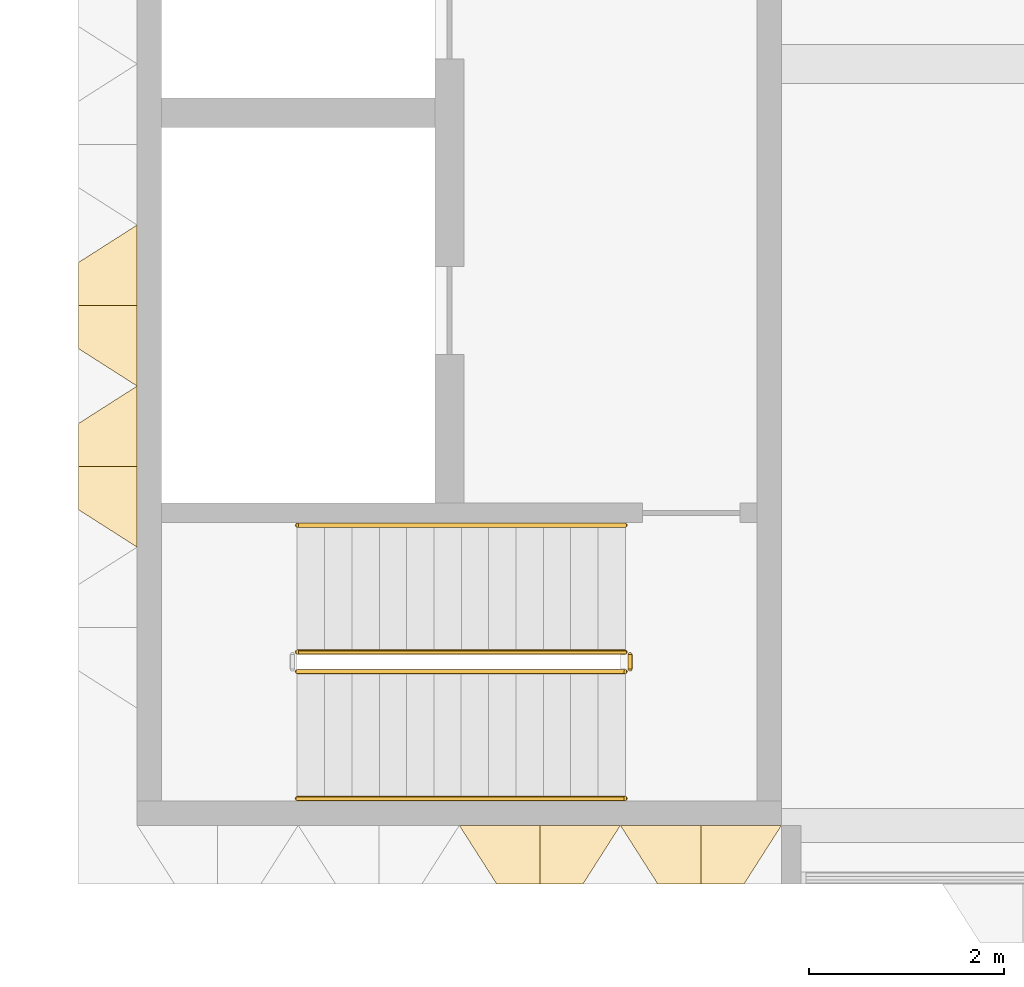
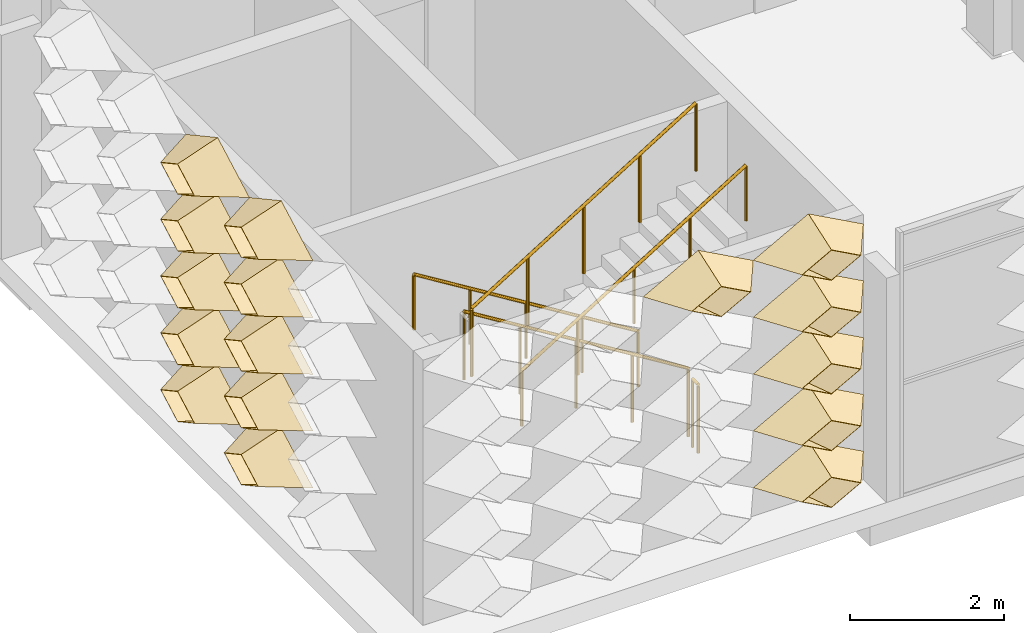
# One storey, part 13 of 29: 16 coverings, 5 railings.
"""IFC4 building model written with IfcOpenShell, lengths in metres."""

from ifc_helpers import new_model, entity, si_unit, direction, frame, origin, origin_2d, place, context, subcontext, project, spatial, circle, extrude, material, layer, layer_set, type_object, element, save


model = new_model("IFC4")

# Units and contexts
model_context = context("Model", 3, precision=1e-05, world=origin(), true_north=direction((0.0, 1.0)))
body_context = subcontext(model_context, "Body", "Model", "MODEL_VIEW")
ifc_project = project(units=[si_unit("LENGTHUNIT", "METRE"), si_unit("AREAUNIT", "SQUARE_METRE"), si_unit("VOLUMEUNIT", "CUBIC_METRE"), si_unit("PLANEANGLEUNIT", "RADIAN"), si_unit("MASSUNIT", "GRAM", prefix="KILO")], contexts=[model_context])

# Site, building, storey
site_placement = place(None, origin())
site = spatial("IfcSite", under=ifc_project, at=site_placement, CompositionType="ELEMENT")
building_placement = place(site_placement, origin())
building = spatial("IfcBuilding", under=site, at=building_placement, Name="Lantern Court Research Institute", CompositionType="ELEMENT")
storey_placement = place(building_placement, frame((0.0, 0.0, 32.39990234375)))
storey = spatial("IfcBuildingStorey", under=building, at=storey_placement, Name="L07", CompositionType="ELEMENT", Elevation=32.39990234375)

# Coverings
ifc_material_1 = material(Name="Anodised aluminium", Category="aluminium")
ifc_layer = layer(ifc_material_1, 0.01611328125)
ifc_layer_set = layer_set([ifc_layer], Name="Anodised aluminium")
covering_type = type_object("IfcCoveringType", Name="Fin cassette 1650 x 900 x 600 aluminium", PredefinedType="CLADDING", material=ifc_layer_set)
covering_1_placement = place(storey_placement, frame((58.574951171875, -7.800048828125, 0.4501953125), z_axis=(0.0, -1.0, 0.0), x_axis=(1.0, 0.0, 0.0)))
cartesian_point_1 = entity("IfcCartesianPoint", [0.824951171875, 0.0])
cartesian_point_2 = entity("IfcCartesianPoint", [0.79150390625, 0.0])
cartesian_point_3 = entity("IfcCartesianPoint", [0.44189453125, 0.0])
cartesian_point_4 = entity("IfcCartesianPoint", [0.43359375, 0.0])
element("IfcCovering", 1, at=covering_1_placement, inside=storey, type_object=covering_type, Name="Fin cassette V5S-L07 1.36", PredefinedType="CLADDING", context=body_context, shape_type="SweptSolid", body=[
    entity("IfcExtrudedAreaSolidTapered", entity("IfcArbitraryProfileDefWithVoids", "AREA", None, entity("IfcPolyline", [cartesian_point_1, entity("IfcCartesianPoint", [0.0, 0.449951171875]), entity("IfcCartesianPoint", [-0.824951171875, 0.0]), entity("IfcCartesianPoint", [0.0, -0.449951171875]), cartesian_point_1]), [entity("IfcPolyline", [cartesian_point_2, entity("IfcCartesianPoint", [0.0, 0.431884765625]), entity("IfcCartesianPoint", [-0.79150390625, 0.0]), entity("IfcCartesianPoint", [0.0, -0.431884765625]), cartesian_point_2])]), entity("IfcAxis2Placement3D", entity("IfcCartesianPoint", [0.0, 0.0, 0.0])), entity("IfcDirection", [0.0, 0.0, 1.0]), 0.60009765625, entity("IfcArbitraryProfileDefWithVoids", "AREA", None, entity("IfcPolyline", [cartesian_point_3, entity("IfcCartesianPoint", [0.0, 0.240966796875]), entity("IfcCartesianPoint", [-0.44189453125, 0.0]), entity("IfcCartesianPoint", [0.0, -0.240966796875]), cartesian_point_3]), [entity("IfcPolyline", [cartesian_point_4, entity("IfcCartesianPoint", [0.0, 0.236572265625]), entity("IfcCartesianPoint", [-0.43359375, 0.0]), entity("IfcCartesianPoint", [0.0, -0.236572265625]), cartesian_point_4])])),
])
covering_2_placement = place(storey_placement, frame((58.574951171875, -7.800048828125, 1.35009765625), z_axis=(0.0, -1.0, 0.0), x_axis=(1.0, 0.0, 0.0)))
cartesian_point_5 = entity("IfcCartesianPoint", [0.824951171875, 0.0])
cartesian_point_6 = entity("IfcCartesianPoint", [0.79150390625, 0.0])
cartesian_point_7 = entity("IfcCartesianPoint", [0.44189453125, 0.0])
cartesian_point_8 = entity("IfcCartesianPoint", [0.43359375, 0.0])
element("IfcCovering", 2, at=covering_2_placement, inside=storey, type_object=covering_type, Name="Fin cassette V5S-L07 2.36", PredefinedType="CLADDING", context=body_context, shape_type="SweptSolid", body=[
    entity("IfcExtrudedAreaSolidTapered", entity("IfcArbitraryProfileDefWithVoids", "AREA", None, entity("IfcPolyline", [cartesian_point_5, entity("IfcCartesianPoint", [0.0, 0.449951171875]), entity("IfcCartesianPoint", [-0.824951171875, 0.0]), entity("IfcCartesianPoint", [0.0, -0.449951171875]), cartesian_point_5]), [entity("IfcPolyline", [cartesian_point_6, entity("IfcCartesianPoint", [0.0, 0.431884765625]), entity("IfcCartesianPoint", [-0.79150390625, 0.0]), entity("IfcCartesianPoint", [0.0, -0.431884765625]), cartesian_point_6])]), entity("IfcAxis2Placement3D", entity("IfcCartesianPoint", [0.0, 0.0, 0.0])), entity("IfcDirection", [0.0, 0.0, 1.0]), 0.60009765625, entity("IfcArbitraryProfileDefWithVoids", "AREA", None, entity("IfcPolyline", [cartesian_point_7, entity("IfcCartesianPoint", [0.0, 0.240966796875]), entity("IfcCartesianPoint", [-0.44189453125, 0.0]), entity("IfcCartesianPoint", [0.0, -0.240966796875]), cartesian_point_7]), [entity("IfcPolyline", [cartesian_point_8, entity("IfcCartesianPoint", [0.0, 0.236572265625]), entity("IfcCartesianPoint", [-0.43359375, 0.0]), entity("IfcCartesianPoint", [0.0, -0.236572265625]), cartesian_point_8])])),
])
covering_3_placement = place(storey_placement, frame((58.574951171875, -7.800048828125, 2.25), z_axis=(0.0, -1.0, 0.0), x_axis=(1.0, 0.0, 0.0)))
cartesian_point_9 = entity("IfcCartesianPoint", [0.824951171875, 0.0])
cartesian_point_10 = entity("IfcCartesianPoint", [0.79150390625, 0.0])
cartesian_point_11 = entity("IfcCartesianPoint", [0.44189453125, 0.0])
cartesian_point_12 = entity("IfcCartesianPoint", [0.43359375, 0.0])
element("IfcCovering", 3, at=covering_3_placement, inside=storey, type_object=covering_type, Name="Fin cassette V5S-L07 3.36", PredefinedType="CLADDING", context=body_context, shape_type="SweptSolid", body=[
    entity("IfcExtrudedAreaSolidTapered", entity("IfcArbitraryProfileDefWithVoids", "AREA", None, entity("IfcPolyline", [cartesian_point_9, entity("IfcCartesianPoint", [0.0, 0.449951171875]), entity("IfcCartesianPoint", [-0.824951171875, 0.0]), entity("IfcCartesianPoint", [0.0, -0.449951171875]), cartesian_point_9]), [entity("IfcPolyline", [cartesian_point_10, entity("IfcCartesianPoint", [0.0, 0.431884765625]), entity("IfcCartesianPoint", [-0.79150390625, 0.0]), entity("IfcCartesianPoint", [0.0, -0.431884765625]), cartesian_point_10])]), entity("IfcAxis2Placement3D", entity("IfcCartesianPoint", [0.0, 0.0, 0.0])), entity("IfcDirection", [0.0, 0.0, 1.0]), 0.60009765625, entity("IfcArbitraryProfileDefWithVoids", "AREA", None, entity("IfcPolyline", [cartesian_point_11, entity("IfcCartesianPoint", [0.0, 0.240966796875]), entity("IfcCartesianPoint", [-0.44189453125, 0.0]), entity("IfcCartesianPoint", [0.0, -0.240966796875]), cartesian_point_11]), [entity("IfcPolyline", [cartesian_point_12, entity("IfcCartesianPoint", [0.0, 0.236572265625]), entity("IfcCartesianPoint", [-0.43359375, 0.0]), entity("IfcCartesianPoint", [0.0, -0.236572265625]), cartesian_point_12])])),
])
covering_4_placement = place(storey_placement, frame((58.574951171875, -7.800048828125, 3.150146484375), z_axis=(0.0, -1.0, 0.0), x_axis=(1.0, 0.0, 0.0)))
cartesian_point_13 = entity("IfcCartesianPoint", [0.824951171875, 0.0])
cartesian_point_14 = entity("IfcCartesianPoint", [0.79150390625, 0.0])
cartesian_point_15 = entity("IfcCartesianPoint", [0.44189453125, 0.0])
cartesian_point_16 = entity("IfcCartesianPoint", [0.43359375, 0.0])
element("IfcCovering", 4, at=covering_4_placement, inside=storey, type_object=covering_type, Name="Fin cassette V5S-L07 4.36", PredefinedType="CLADDING", context=body_context, shape_type="SweptSolid", body=[
    entity("IfcExtrudedAreaSolidTapered", entity("IfcArbitraryProfileDefWithVoids", "AREA", None, entity("IfcPolyline", [cartesian_point_13, entity("IfcCartesianPoint", [0.0, 0.449951171875]), entity("IfcCartesianPoint", [-0.824951171875, 0.0]), entity("IfcCartesianPoint", [0.0, -0.449951171875]), cartesian_point_13]), [entity("IfcPolyline", [cartesian_point_14, entity("IfcCartesianPoint", [0.0, 0.431884765625]), entity("IfcCartesianPoint", [-0.79150390625, 0.0]), entity("IfcCartesianPoint", [0.0, -0.431884765625]), cartesian_point_14])]), entity("IfcAxis2Placement3D", entity("IfcCartesianPoint", [0.0, 0.0, 0.0])), entity("IfcDirection", [0.0, 0.0, 1.0]), 0.60009765625, entity("IfcArbitraryProfileDefWithVoids", "AREA", None, entity("IfcPolyline", [cartesian_point_15, entity("IfcCartesianPoint", [0.0, 0.240966796875]), entity("IfcCartesianPoint", [-0.44189453125, 0.0]), entity("IfcCartesianPoint", [0.0, -0.240966796875]), cartesian_point_15]), [entity("IfcPolyline", [cartesian_point_16, entity("IfcCartesianPoint", [0.0, 0.236572265625]), entity("IfcCartesianPoint", [-0.43359375, 0.0]), entity("IfcCartesianPoint", [0.0, -0.236572265625]), cartesian_point_16])])),
])
covering_5_placement = place(storey_placement, frame((56.925048828125, -7.800048828125, 4.050048828125), z_axis=(0.0, -1.0, 0.0), x_axis=(1.0, 0.0, 0.0)))
cartesian_point_17 = entity("IfcCartesianPoint", [0.824951171875, 0.0])
cartesian_point_18 = entity("IfcCartesianPoint", [0.79150390625, 0.0])
cartesian_point_19 = entity("IfcCartesianPoint", [0.44189453125, 0.0])
cartesian_point_20 = entity("IfcCartesianPoint", [0.43359375, 0.0])
element("IfcCovering", 5, at=covering_5_placement, inside=storey, type_object=covering_type, Name="Fin cassette V5S-L07 5.35", PredefinedType="CLADDING", context=body_context, shape_type="SweptSolid", body=[
    entity("IfcExtrudedAreaSolidTapered", entity("IfcArbitraryProfileDefWithVoids", "AREA", None, entity("IfcPolyline", [cartesian_point_17, entity("IfcCartesianPoint", [0.0, 0.449951171875]), entity("IfcCartesianPoint", [-0.824951171875, 0.0]), entity("IfcCartesianPoint", [0.0, -0.449951171875]), cartesian_point_17]), [entity("IfcPolyline", [cartesian_point_18, entity("IfcCartesianPoint", [0.0, 0.431884765625]), entity("IfcCartesianPoint", [-0.79150390625, 0.0]), entity("IfcCartesianPoint", [0.0, -0.431884765625]), cartesian_point_18])]), entity("IfcAxis2Placement3D", entity("IfcCartesianPoint", [0.0, 0.0, 0.0])), entity("IfcDirection", [0.0, 0.0, 1.0]), 0.60009765625, entity("IfcArbitraryProfileDefWithVoids", "AREA", None, entity("IfcPolyline", [cartesian_point_19, entity("IfcCartesianPoint", [0.0, 0.240966796875]), entity("IfcCartesianPoint", [-0.44189453125, 0.0]), entity("IfcCartesianPoint", [0.0, -0.240966796875]), cartesian_point_19]), [entity("IfcPolyline", [cartesian_point_20, entity("IfcCartesianPoint", [0.0, 0.236572265625]), entity("IfcCartesianPoint", [-0.43359375, 0.0]), entity("IfcCartesianPoint", [0.0, -0.236572265625]), cartesian_point_20])])),
])
covering_6_placement = place(storey_placement, frame((58.574951171875, -7.800048828125, 4.050048828125), z_axis=(0.0, -1.0, 0.0), x_axis=(1.0, 0.0, 0.0)))
cartesian_point_21 = entity("IfcCartesianPoint", [0.824951171875, 0.0])
cartesian_point_22 = entity("IfcCartesianPoint", [0.79150390625, 0.0])
cartesian_point_23 = entity("IfcCartesianPoint", [0.44189453125, 0.0])
cartesian_point_24 = entity("IfcCartesianPoint", [0.43359375, 0.0])
element("IfcCovering", 6, at=covering_6_placement, inside=storey, type_object=covering_type, Name="Fin cassette V5S-L07 5.36", PredefinedType="CLADDING", context=body_context, shape_type="SweptSolid", body=[
    entity("IfcExtrudedAreaSolidTapered", entity("IfcArbitraryProfileDefWithVoids", "AREA", None, entity("IfcPolyline", [cartesian_point_21, entity("IfcCartesianPoint", [0.0, 0.449951171875]), entity("IfcCartesianPoint", [-0.824951171875, 0.0]), entity("IfcCartesianPoint", [0.0, -0.449951171875]), cartesian_point_21]), [entity("IfcPolyline", [cartesian_point_22, entity("IfcCartesianPoint", [0.0, 0.431884765625]), entity("IfcCartesianPoint", [-0.79150390625, 0.0]), entity("IfcCartesianPoint", [0.0, -0.431884765625]), cartesian_point_22])]), entity("IfcAxis2Placement3D", entity("IfcCartesianPoint", [0.0, 0.0, 0.0])), entity("IfcDirection", [0.0, 0.0, 1.0]), 0.60009765625, entity("IfcArbitraryProfileDefWithVoids", "AREA", None, entity("IfcPolyline", [cartesian_point_23, entity("IfcCartesianPoint", [0.0, 0.240966796875]), entity("IfcCartesianPoint", [-0.44189453125, 0.0]), entity("IfcCartesianPoint", [0.0, -0.240966796875]), cartesian_point_23]), [entity("IfcPolyline", [cartesian_point_24, entity("IfcCartesianPoint", [0.0, 0.236572265625]), entity("IfcCartesianPoint", [-0.43359375, 0.0]), entity("IfcCartesianPoint", [0.0, -0.236572265625]), cartesian_point_24])])),
])
covering_7_placement = place(storey_placement, frame((52.800048828125, -4.125, 0.4501953125), z_axis=(-1.0, 0.0, 0.0), x_axis=(0.0, -1.0, 0.0)))
cartesian_point_25 = entity("IfcCartesianPoint", [0.824951171875, 0.0])
cartesian_point_26 = entity("IfcCartesianPoint", [0.79150390625, 0.0])
cartesian_point_27 = entity("IfcCartesianPoint", [0.44189453125, 0.0])
cartesian_point_28 = entity("IfcCartesianPoint", [0.43359375, 0.0])
element("IfcCovering", 7, at=covering_7_placement, inside=storey, type_object=covering_type, Name="Fin cassette V5W-L07 1.-2", PredefinedType="CLADDING", context=body_context, shape_type="SweptSolid", body=[
    entity("IfcExtrudedAreaSolidTapered", entity("IfcArbitraryProfileDefWithVoids", "AREA", None, entity("IfcPolyline", [cartesian_point_25, entity("IfcCartesianPoint", [0.0, 0.449951171875]), entity("IfcCartesianPoint", [-0.824951171875, 0.0]), entity("IfcCartesianPoint", [0.0, -0.449951171875]), cartesian_point_25]), [entity("IfcPolyline", [cartesian_point_26, entity("IfcCartesianPoint", [0.0, 0.431884765625]), entity("IfcCartesianPoint", [-0.79150390625, 0.0]), entity("IfcCartesianPoint", [0.0, -0.431884765625]), cartesian_point_26])]), entity("IfcAxis2Placement3D", entity("IfcCartesianPoint", [0.0, 0.0, 0.0])), entity("IfcDirection", [0.0, 0.0, 1.0]), 0.60009765625, entity("IfcArbitraryProfileDefWithVoids", "AREA", None, entity("IfcPolyline", [cartesian_point_27, entity("IfcCartesianPoint", [0.0, 0.240966796875]), entity("IfcCartesianPoint", [-0.44189453125, 0.0]), entity("IfcCartesianPoint", [0.0, -0.240966796875]), cartesian_point_27]), [entity("IfcPolyline", [cartesian_point_28, entity("IfcCartesianPoint", [0.0, 0.236572265625]), entity("IfcCartesianPoint", [-0.43359375, 0.0]), entity("IfcCartesianPoint", [0.0, -0.236572265625]), cartesian_point_28])])),
])
covering_8_placement = place(storey_placement, frame((52.800048828125, -2.47509765625, 0.4501953125), z_axis=(-1.0, 0.0, 0.0), x_axis=(0.0, -1.0, 0.0)))
cartesian_point_29 = entity("IfcCartesianPoint", [0.824951171875, 0.0])
cartesian_point_30 = entity("IfcCartesianPoint", [0.79150390625, 0.0])
cartesian_point_31 = entity("IfcCartesianPoint", [0.44189453125, 0.0])
cartesian_point_32 = entity("IfcCartesianPoint", [0.43359375, 0.0])
element("IfcCovering", 8, at=covering_8_placement, inside=storey, type_object=covering_type, Name="Fin cassette V5W-L07 1.-1", PredefinedType="CLADDING", context=body_context, shape_type="SweptSolid", body=[
    entity("IfcExtrudedAreaSolidTapered", entity("IfcArbitraryProfileDefWithVoids", "AREA", None, entity("IfcPolyline", [cartesian_point_29, entity("IfcCartesianPoint", [0.0, 0.449951171875]), entity("IfcCartesianPoint", [-0.824951171875, 0.0]), entity("IfcCartesianPoint", [0.0, -0.449951171875]), cartesian_point_29]), [entity("IfcPolyline", [cartesian_point_30, entity("IfcCartesianPoint", [0.0, 0.431884765625]), entity("IfcCartesianPoint", [-0.79150390625, 0.0]), entity("IfcCartesianPoint", [0.0, -0.431884765625]), cartesian_point_30])]), entity("IfcAxis2Placement3D", entity("IfcCartesianPoint", [0.0, 0.0, 0.0])), entity("IfcDirection", [0.0, 0.0, 1.0]), 0.60009765625, entity("IfcArbitraryProfileDefWithVoids", "AREA", None, entity("IfcPolyline", [cartesian_point_31, entity("IfcCartesianPoint", [0.0, 0.240966796875]), entity("IfcCartesianPoint", [-0.44189453125, 0.0]), entity("IfcCartesianPoint", [0.0, -0.240966796875]), cartesian_point_31]), [entity("IfcPolyline", [cartesian_point_32, entity("IfcCartesianPoint", [0.0, 0.236572265625]), entity("IfcCartesianPoint", [-0.43359375, 0.0]), entity("IfcCartesianPoint", [0.0, -0.236572265625]), cartesian_point_32])])),
])
covering_9_placement = place(storey_placement, frame((52.800048828125, -4.125, 1.35009765625), z_axis=(-1.0, 0.0, 0.0), x_axis=(0.0, -1.0, 0.0)))
cartesian_point_33 = entity("IfcCartesianPoint", [0.824951171875, 0.0])
cartesian_point_34 = entity("IfcCartesianPoint", [0.79150390625, 0.0])
cartesian_point_35 = entity("IfcCartesianPoint", [0.44189453125, 0.0])
cartesian_point_36 = entity("IfcCartesianPoint", [0.43359375, 0.0])
element("IfcCovering", 9, at=covering_9_placement, inside=storey, type_object=covering_type, Name="Fin cassette V5W-L07 2.-2", PredefinedType="CLADDING", context=body_context, shape_type="SweptSolid", body=[
    entity("IfcExtrudedAreaSolidTapered", entity("IfcArbitraryProfileDefWithVoids", "AREA", None, entity("IfcPolyline", [cartesian_point_33, entity("IfcCartesianPoint", [0.0, 0.449951171875]), entity("IfcCartesianPoint", [-0.824951171875, 0.0]), entity("IfcCartesianPoint", [0.0, -0.449951171875]), cartesian_point_33]), [entity("IfcPolyline", [cartesian_point_34, entity("IfcCartesianPoint", [0.0, 0.431884765625]), entity("IfcCartesianPoint", [-0.79150390625, 0.0]), entity("IfcCartesianPoint", [0.0, -0.431884765625]), cartesian_point_34])]), entity("IfcAxis2Placement3D", entity("IfcCartesianPoint", [0.0, 0.0, 0.0])), entity("IfcDirection", [0.0, 0.0, 1.0]), 0.60009765625, entity("IfcArbitraryProfileDefWithVoids", "AREA", None, entity("IfcPolyline", [cartesian_point_35, entity("IfcCartesianPoint", [0.0, 0.240966796875]), entity("IfcCartesianPoint", [-0.44189453125, 0.0]), entity("IfcCartesianPoint", [0.0, -0.240966796875]), cartesian_point_35]), [entity("IfcPolyline", [cartesian_point_36, entity("IfcCartesianPoint", [0.0, 0.236572265625]), entity("IfcCartesianPoint", [-0.43359375, 0.0]), entity("IfcCartesianPoint", [0.0, -0.236572265625]), cartesian_point_36])])),
])
covering_10_placement = place(storey_placement, frame((52.800048828125, -2.47509765625, 1.35009765625), z_axis=(-1.0, 0.0, 0.0), x_axis=(0.0, -1.0, 0.0)))
cartesian_point_37 = entity("IfcCartesianPoint", [0.824951171875, 0.0])
cartesian_point_38 = entity("IfcCartesianPoint", [0.79150390625, 0.0])
cartesian_point_39 = entity("IfcCartesianPoint", [0.44189453125, 0.0])
cartesian_point_40 = entity("IfcCartesianPoint", [0.43359375, 0.0])
element("IfcCovering", 10, at=covering_10_placement, inside=storey, type_object=covering_type, Name="Fin cassette V5W-L07 2.-1", PredefinedType="CLADDING", context=body_context, shape_type="SweptSolid", body=[
    entity("IfcExtrudedAreaSolidTapered", entity("IfcArbitraryProfileDefWithVoids", "AREA", None, entity("IfcPolyline", [cartesian_point_37, entity("IfcCartesianPoint", [0.0, 0.449951171875]), entity("IfcCartesianPoint", [-0.824951171875, 0.0]), entity("IfcCartesianPoint", [0.0, -0.449951171875]), cartesian_point_37]), [entity("IfcPolyline", [cartesian_point_38, entity("IfcCartesianPoint", [0.0, 0.431884765625]), entity("IfcCartesianPoint", [-0.79150390625, 0.0]), entity("IfcCartesianPoint", [0.0, -0.431884765625]), cartesian_point_38])]), entity("IfcAxis2Placement3D", entity("IfcCartesianPoint", [0.0, 0.0, 0.0])), entity("IfcDirection", [0.0, 0.0, 1.0]), 0.60009765625, entity("IfcArbitraryProfileDefWithVoids", "AREA", None, entity("IfcPolyline", [cartesian_point_39, entity("IfcCartesianPoint", [0.0, 0.240966796875]), entity("IfcCartesianPoint", [-0.44189453125, 0.0]), entity("IfcCartesianPoint", [0.0, -0.240966796875]), cartesian_point_39]), [entity("IfcPolyline", [cartesian_point_40, entity("IfcCartesianPoint", [0.0, 0.236572265625]), entity("IfcCartesianPoint", [-0.43359375, 0.0]), entity("IfcCartesianPoint", [0.0, -0.236572265625]), cartesian_point_40])])),
])
covering_11_placement = place(storey_placement, frame((52.800048828125, -4.125, 2.25), z_axis=(-1.0, 0.0, 0.0), x_axis=(0.0, -1.0, 0.0)))
cartesian_point_41 = entity("IfcCartesianPoint", [0.824951171875, 0.0])
cartesian_point_42 = entity("IfcCartesianPoint", [0.79150390625, 0.0])
cartesian_point_43 = entity("IfcCartesianPoint", [0.44189453125, 0.0])
cartesian_point_44 = entity("IfcCartesianPoint", [0.43359375, 0.0])
element("IfcCovering", 11, at=covering_11_placement, inside=storey, type_object=covering_type, Name="Fin cassette V5W-L07 3.-2", PredefinedType="CLADDING", context=body_context, shape_type="SweptSolid", body=[
    entity("IfcExtrudedAreaSolidTapered", entity("IfcArbitraryProfileDefWithVoids", "AREA", None, entity("IfcPolyline", [cartesian_point_41, entity("IfcCartesianPoint", [0.0, 0.449951171875]), entity("IfcCartesianPoint", [-0.824951171875, 0.0]), entity("IfcCartesianPoint", [0.0, -0.449951171875]), cartesian_point_41]), [entity("IfcPolyline", [cartesian_point_42, entity("IfcCartesianPoint", [0.0, 0.431884765625]), entity("IfcCartesianPoint", [-0.79150390625, 0.0]), entity("IfcCartesianPoint", [0.0, -0.431884765625]), cartesian_point_42])]), entity("IfcAxis2Placement3D", entity("IfcCartesianPoint", [0.0, 0.0, 0.0])), entity("IfcDirection", [0.0, 0.0, 1.0]), 0.60009765625, entity("IfcArbitraryProfileDefWithVoids", "AREA", None, entity("IfcPolyline", [cartesian_point_43, entity("IfcCartesianPoint", [0.0, 0.240966796875]), entity("IfcCartesianPoint", [-0.44189453125, 0.0]), entity("IfcCartesianPoint", [0.0, -0.240966796875]), cartesian_point_43]), [entity("IfcPolyline", [cartesian_point_44, entity("IfcCartesianPoint", [0.0, 0.236572265625]), entity("IfcCartesianPoint", [-0.43359375, 0.0]), entity("IfcCartesianPoint", [0.0, -0.236572265625]), cartesian_point_44])])),
])
covering_12_placement = place(storey_placement, frame((52.800048828125, -2.47509765625, 2.25), z_axis=(-1.0, 0.0, 0.0), x_axis=(0.0, -1.0, 0.0)))
cartesian_point_45 = entity("IfcCartesianPoint", [0.824951171875, 0.0])
cartesian_point_46 = entity("IfcCartesianPoint", [0.79150390625, 0.0])
cartesian_point_47 = entity("IfcCartesianPoint", [0.44189453125, 0.0])
cartesian_point_48 = entity("IfcCartesianPoint", [0.43359375, 0.0])
element("IfcCovering", 12, at=covering_12_placement, inside=storey, type_object=covering_type, Name="Fin cassette V5W-L07 3.-1", PredefinedType="CLADDING", context=body_context, shape_type="SweptSolid", body=[
    entity("IfcExtrudedAreaSolidTapered", entity("IfcArbitraryProfileDefWithVoids", "AREA", None, entity("IfcPolyline", [cartesian_point_45, entity("IfcCartesianPoint", [0.0, 0.449951171875]), entity("IfcCartesianPoint", [-0.824951171875, 0.0]), entity("IfcCartesianPoint", [0.0, -0.449951171875]), cartesian_point_45]), [entity("IfcPolyline", [cartesian_point_46, entity("IfcCartesianPoint", [0.0, 0.431884765625]), entity("IfcCartesianPoint", [-0.79150390625, 0.0]), entity("IfcCartesianPoint", [0.0, -0.431884765625]), cartesian_point_46])]), entity("IfcAxis2Placement3D", entity("IfcCartesianPoint", [0.0, 0.0, 0.0])), entity("IfcDirection", [0.0, 0.0, 1.0]), 0.60009765625, entity("IfcArbitraryProfileDefWithVoids", "AREA", None, entity("IfcPolyline", [cartesian_point_47, entity("IfcCartesianPoint", [0.0, 0.240966796875]), entity("IfcCartesianPoint", [-0.44189453125, 0.0]), entity("IfcCartesianPoint", [0.0, -0.240966796875]), cartesian_point_47]), [entity("IfcPolyline", [cartesian_point_48, entity("IfcCartesianPoint", [0.0, 0.236572265625]), entity("IfcCartesianPoint", [-0.43359375, 0.0]), entity("IfcCartesianPoint", [0.0, -0.236572265625]), cartesian_point_48])])),
])
covering_13_placement = place(storey_placement, frame((52.800048828125, -4.125, 3.150146484375), z_axis=(-1.0, 0.0, 0.0), x_axis=(0.0, -1.0, 0.0)))
cartesian_point_49 = entity("IfcCartesianPoint", [0.824951171875, 0.0])
cartesian_point_50 = entity("IfcCartesianPoint", [0.79150390625, 0.0])
cartesian_point_51 = entity("IfcCartesianPoint", [0.44189453125, 0.0])
cartesian_point_52 = entity("IfcCartesianPoint", [0.43359375, 0.0])
element("IfcCovering", 13, at=covering_13_placement, inside=storey, type_object=covering_type, Name="Fin cassette V5W-L07 4.-2", PredefinedType="CLADDING", context=body_context, shape_type="SweptSolid", body=[
    entity("IfcExtrudedAreaSolidTapered", entity("IfcArbitraryProfileDefWithVoids", "AREA", None, entity("IfcPolyline", [cartesian_point_49, entity("IfcCartesianPoint", [0.0, 0.449951171875]), entity("IfcCartesianPoint", [-0.824951171875, 0.0]), entity("IfcCartesianPoint", [0.0, -0.449951171875]), cartesian_point_49]), [entity("IfcPolyline", [cartesian_point_50, entity("IfcCartesianPoint", [0.0, 0.431884765625]), entity("IfcCartesianPoint", [-0.79150390625, 0.0]), entity("IfcCartesianPoint", [0.0, -0.431884765625]), cartesian_point_50])]), entity("IfcAxis2Placement3D", entity("IfcCartesianPoint", [0.0, 0.0, 0.0])), entity("IfcDirection", [0.0, 0.0, 1.0]), 0.60009765625, entity("IfcArbitraryProfileDefWithVoids", "AREA", None, entity("IfcPolyline", [cartesian_point_51, entity("IfcCartesianPoint", [0.0, 0.240966796875]), entity("IfcCartesianPoint", [-0.44189453125, 0.0]), entity("IfcCartesianPoint", [0.0, -0.240966796875]), cartesian_point_51]), [entity("IfcPolyline", [cartesian_point_52, entity("IfcCartesianPoint", [0.0, 0.236572265625]), entity("IfcCartesianPoint", [-0.43359375, 0.0]), entity("IfcCartesianPoint", [0.0, -0.236572265625]), cartesian_point_52])])),
])
covering_14_placement = place(storey_placement, frame((52.800048828125, -2.47509765625, 3.150146484375), z_axis=(-1.0, 0.0, 0.0), x_axis=(0.0, -1.0, 0.0)))
cartesian_point_53 = entity("IfcCartesianPoint", [0.824951171875, 0.0])
cartesian_point_54 = entity("IfcCartesianPoint", [0.79150390625, 0.0])
cartesian_point_55 = entity("IfcCartesianPoint", [0.44189453125, 0.0])
cartesian_point_56 = entity("IfcCartesianPoint", [0.43359375, 0.0])
element("IfcCovering", 14, at=covering_14_placement, inside=storey, type_object=covering_type, Name="Fin cassette V5W-L07 4.-1", PredefinedType="CLADDING", context=body_context, shape_type="SweptSolid", body=[
    entity("IfcExtrudedAreaSolidTapered", entity("IfcArbitraryProfileDefWithVoids", "AREA", None, entity("IfcPolyline", [cartesian_point_53, entity("IfcCartesianPoint", [0.0, 0.449951171875]), entity("IfcCartesianPoint", [-0.824951171875, 0.0]), entity("IfcCartesianPoint", [0.0, -0.449951171875]), cartesian_point_53]), [entity("IfcPolyline", [cartesian_point_54, entity("IfcCartesianPoint", [0.0, 0.431884765625]), entity("IfcCartesianPoint", [-0.79150390625, 0.0]), entity("IfcCartesianPoint", [0.0, -0.431884765625]), cartesian_point_54])]), entity("IfcAxis2Placement3D", entity("IfcCartesianPoint", [0.0, 0.0, 0.0])), entity("IfcDirection", [0.0, 0.0, 1.0]), 0.60009765625, entity("IfcArbitraryProfileDefWithVoids", "AREA", None, entity("IfcPolyline", [cartesian_point_55, entity("IfcCartesianPoint", [0.0, 0.240966796875]), entity("IfcCartesianPoint", [-0.44189453125, 0.0]), entity("IfcCartesianPoint", [0.0, -0.240966796875]), cartesian_point_55]), [entity("IfcPolyline", [cartesian_point_56, entity("IfcCartesianPoint", [0.0, 0.236572265625]), entity("IfcCartesianPoint", [-0.43359375, 0.0]), entity("IfcCartesianPoint", [0.0, -0.236572265625]), cartesian_point_56])])),
])
covering_15_placement = place(storey_placement, frame((52.800048828125, -4.125, 4.050048828125), z_axis=(-1.0, 0.0, 0.0), x_axis=(0.0, -1.0, 0.0)))
cartesian_point_57 = entity("IfcCartesianPoint", [0.824951171875, 0.0])
cartesian_point_58 = entity("IfcCartesianPoint", [0.79150390625, 0.0])
cartesian_point_59 = entity("IfcCartesianPoint", [0.44189453125, 0.0])
cartesian_point_60 = entity("IfcCartesianPoint", [0.43359375, 0.0])
element("IfcCovering", 15, at=covering_15_placement, inside=storey, type_object=covering_type, Name="Fin cassette V5W-L07 5.-2", PredefinedType="CLADDING", context=body_context, shape_type="SweptSolid", body=[
    entity("IfcExtrudedAreaSolidTapered", entity("IfcArbitraryProfileDefWithVoids", "AREA", None, entity("IfcPolyline", [cartesian_point_57, entity("IfcCartesianPoint", [0.0, 0.449951171875]), entity("IfcCartesianPoint", [-0.824951171875, 0.0]), entity("IfcCartesianPoint", [0.0, -0.449951171875]), cartesian_point_57]), [entity("IfcPolyline", [cartesian_point_58, entity("IfcCartesianPoint", [0.0, 0.431884765625]), entity("IfcCartesianPoint", [-0.79150390625, 0.0]), entity("IfcCartesianPoint", [0.0, -0.431884765625]), cartesian_point_58])]), entity("IfcAxis2Placement3D", entity("IfcCartesianPoint", [0.0, 0.0, 0.0])), entity("IfcDirection", [0.0, 0.0, 1.0]), 0.60009765625, entity("IfcArbitraryProfileDefWithVoids", "AREA", None, entity("IfcPolyline", [cartesian_point_59, entity("IfcCartesianPoint", [0.0, 0.240966796875]), entity("IfcCartesianPoint", [-0.44189453125, 0.0]), entity("IfcCartesianPoint", [0.0, -0.240966796875]), cartesian_point_59]), [entity("IfcPolyline", [cartesian_point_60, entity("IfcCartesianPoint", [0.0, 0.236572265625]), entity("IfcCartesianPoint", [-0.43359375, 0.0]), entity("IfcCartesianPoint", [0.0, -0.236572265625]), cartesian_point_60])])),
])
covering_16_placement = place(storey_placement, frame((52.800048828125, -2.47509765625, 4.050048828125), z_axis=(-1.0, 0.0, 0.0), x_axis=(0.0, -1.0, 0.0)))
cartesian_point_61 = entity("IfcCartesianPoint", [0.824951171875, 0.0])
cartesian_point_62 = entity("IfcCartesianPoint", [0.79150390625, 0.0])
cartesian_point_63 = entity("IfcCartesianPoint", [0.44189453125, 0.0])
cartesian_point_64 = entity("IfcCartesianPoint", [0.43359375, 0.0])
element("IfcCovering", 16, at=covering_16_placement, inside=storey, type_object=covering_type, Name="Fin cassette V5W-L07 5.-1", PredefinedType="CLADDING", context=body_context, shape_type="SweptSolid", body=[
    entity("IfcExtrudedAreaSolidTapered", entity("IfcArbitraryProfileDefWithVoids", "AREA", None, entity("IfcPolyline", [cartesian_point_61, entity("IfcCartesianPoint", [0.0, 0.449951171875]), entity("IfcCartesianPoint", [-0.824951171875, 0.0]), entity("IfcCartesianPoint", [0.0, -0.449951171875]), cartesian_point_61]), [entity("IfcPolyline", [cartesian_point_62, entity("IfcCartesianPoint", [0.0, 0.431884765625]), entity("IfcCartesianPoint", [-0.79150390625, 0.0]), entity("IfcCartesianPoint", [0.0, -0.431884765625]), cartesian_point_62])]), entity("IfcAxis2Placement3D", entity("IfcCartesianPoint", [0.0, 0.0, 0.0])), entity("IfcDirection", [0.0, 0.0, 1.0]), 0.60009765625, entity("IfcArbitraryProfileDefWithVoids", "AREA", None, entity("IfcPolyline", [cartesian_point_63, entity("IfcCartesianPoint", [0.0, 0.240966796875]), entity("IfcCartesianPoint", [-0.44189453125, 0.0]), entity("IfcCartesianPoint", [0.0, -0.240966796875]), cartesian_point_63]), [entity("IfcPolyline", [cartesian_point_64, entity("IfcCartesianPoint", [0.0, 0.236572265625]), entity("IfcCartesianPoint", [-0.43359375, 0.0]), entity("IfcCartesianPoint", [0.0, -0.236572265625]), cartesian_point_64])])),
])

# Railings
ifc_material_2 = material(Name="Structural steel S355", Category="steel")
railing_type_1 = type_object("IfcRailingType", Name="Stair guard 1100 steel", PredefinedType="GUARDRAIL", material=ifc_material_2)
railing_1_placement = place(storey_placement, frame((57.800048828125, -6.02490234375, 0.173095703125)))
element("IfcRailing", 17, at=railing_1_placement, inside=storey, type_object=railing_type_1, Name="L07 ST-T1 stair guard 1", PredefinedType="GUARDRAIL", context=body_context, shape_type="SweptSolid", body=[
    extrude(circle(Radius=0.02392578125, at=origin_2d()), frame((0.0, 0.0, 1.076171875), z_axis=(-0.850623216509, 0.0, 0.525775754039), x_axis=(0.0, -1.0, 0.0)), (0.0, 0.0, 1.0), 3.9501953125),
    extrude(circle(Radius=0.02099609375, at=origin_2d()), origin(), (0.0, 0.0, 1.0), 1.052001953125),
    extrude(circle(Radius=0.02099609375, at=origin_2d()), frame((-0.840087890625, 0.0, 0.519287109375)), (0.0, 0.0, 1.0), 1.052001953125),
    extrude(circle(Radius=0.02099609375, at=origin_2d()), frame((-1.68017578125, 0.0, 1.03857421875)), (0.0, 0.0, 1.0), 1.052001953125),
    extrude(circle(Radius=0.02099609375, at=origin_2d()), frame((-2.52001953125, 0.0, 1.5576171875)), (0.0, 0.0, 1.0), 1.052001953125),
    extrude(circle(Radius=0.02099609375, at=origin_2d()), frame((-3.360107421875, 0.0, 2.076904296875)), (0.0, 0.0, 1.0), 1.052001953125),
])
railing_2_placement = place(storey_placement, frame((54.43994140625, -6.22509765625, 2.423095703125)))
element("IfcRailing", 18, at=railing_2_placement, inside=storey, type_object=railing_type_1, Name="L07 ST-T1 stair guard 3", PredefinedType="GUARDRAIL", context=body_context, shape_type="SweptSolid", body=[
    extrude(circle(Radius=0.02392578125, at=origin_2d()), frame((0.0, 0.0, 1.076171875), z_axis=(0.850623216509, 0.0, 0.525775754039), x_axis=(0.0, 1.0, 0.0)), (0.0, 0.0, 1.0), 3.9501953125),
    extrude(circle(Radius=0.02099609375, at=origin_2d()), origin(), (0.0, 0.0, 1.0), 1.052001953125),
    extrude(circle(Radius=0.02099609375, at=origin_2d()), frame((0.840087890625, 0.0, 0.519287109375)), (0.0, 0.0, 1.0), 1.052001953125),
    extrude(circle(Radius=0.02099609375, at=origin_2d()), frame((1.68017578125, 0.0, 1.03857421875)), (0.0, 0.0, 1.0), 1.052001953125),
    extrude(circle(Radius=0.02099609375, at=origin_2d()), frame((2.52001953125, 0.0, 1.5576171875)), (0.0, 0.0, 1.0), 1.052001953125),
    extrude(circle(Radius=0.02099609375, at=origin_2d()), frame((3.360107421875, 0.0, 2.076904296875)), (0.0, 0.0, 1.0), 1.052001953125),
])
railing_3_placement = place(storey_placement, frame((57.85009765625, -6.050048828125, 0.0)))
element("IfcRailing", 19, at=railing_3_placement, inside=storey, type_object=railing_type_1, Name="L07 ST-T1 stair guard 4", PredefinedType="GUARDRAIL", context=body_context, shape_type="SweptSolid", body=[
    extrude(circle(Radius=0.02392578125, at=origin_2d()), frame((0.0, 0.0, 1.076171875), z_axis=(0.0, -1.0, 0.0), x_axis=(1.0, 0.0, 0.0)), (0.0, 0.0, 1.0), 0.14990234375),
    extrude(circle(Radius=0.02099609375, at=origin_2d()), origin(), (0.0, 0.0, 1.0), 1.052001953125),
    extrude(circle(Radius=0.02099609375, at=origin_2d()), frame((0.0, -0.14990234375, 0.0)), (0.0, 0.0, 1.0), 1.052001953125),
])
ifc_material_3 = material(Name="Stainless steel 316", Category="steel")
railing_type_2 = type_object("IfcRailingType", Name="Stair handrail 900 steel", PredefinedType="HANDRAIL", material=ifc_material_3)
railing_4_placement = place(storey_placement, frame((57.800048828125, -4.72509765625, 0.173095703125)))
element("IfcRailing", 20, at=railing_4_placement, inside=storey, type_object=railing_type_2, Name="L07 ST-T1 stair handrail 1", PredefinedType="HANDRAIL", context=body_context, shape_type="SweptSolid", body=[
    extrude(circle(Radius=0.02392578125, at=origin_2d()), frame((0.0, 0.0, 0.8759765625), z_axis=(-0.850623216509, 0.0, 0.525775754039), x_axis=(0.0, -1.0, 0.0)), (0.0, 0.0, 1.0), 3.9501953125),
    extrude(circle(Radius=0.02099609375, at=origin_2d()), origin(), (0.0, 0.0, 1.0), 0.851806640625),
    extrude(circle(Radius=0.02099609375, at=origin_2d()), frame((-0.840087890625, 0.0, 0.519287109375)), (0.0, 0.0, 1.0), 0.851806640625),
    extrude(circle(Radius=0.02099609375, at=origin_2d()), frame((-1.68017578125, 0.0, 1.03857421875)), (0.0, 0.0, 1.0), 0.851806640625),
    extrude(circle(Radius=0.02099609375, at=origin_2d()), frame((-2.52001953125, 0.0, 1.5576171875)), (0.0, 0.0, 1.0), 0.851806640625),
    extrude(circle(Radius=0.02099609375, at=origin_2d()), frame((-3.360107421875, 0.0, 2.076904296875)), (0.0, 0.0, 1.0), 0.851806640625),
])
railing_5_placement = place(storey_placement, frame((54.43994140625, -7.52490234375, 2.423095703125)))
element("IfcRailing", 21, at=railing_5_placement, inside=storey, type_object=railing_type_2, Name="L07 ST-T1 stair handrail 2", PredefinedType="HANDRAIL", context=body_context, shape_type="SweptSolid", body=[
    extrude(circle(Radius=0.02392578125, at=origin_2d()), frame((0.0, 0.0, 0.8759765625), z_axis=(0.850623216509, 0.0, 0.525775754039), x_axis=(0.0, 1.0, 0.0)), (0.0, 0.0, 1.0), 3.9501953125),
    extrude(circle(Radius=0.02099609375, at=origin_2d()), origin(), (0.0, 0.0, 1.0), 0.851806640625),
    extrude(circle(Radius=0.02099609375, at=origin_2d()), frame((0.840087890625, 0.0, 0.519287109375)), (0.0, 0.0, 1.0), 0.851806640625),
    extrude(circle(Radius=0.02099609375, at=origin_2d()), frame((1.68017578125, 0.0, 1.03857421875)), (0.0, 0.0, 1.0), 0.851806640625),
    extrude(circle(Radius=0.02099609375, at=origin_2d()), frame((2.52001953125, 0.0, 1.5576171875)), (0.0, 0.0, 1.0), 0.851806640625),
    extrude(circle(Radius=0.02099609375, at=origin_2d()), frame((3.360107421875, 0.0, 2.076904296875)), (0.0, 0.0, 1.0), 0.851806640625),
])

save(model, "model.ifc")
